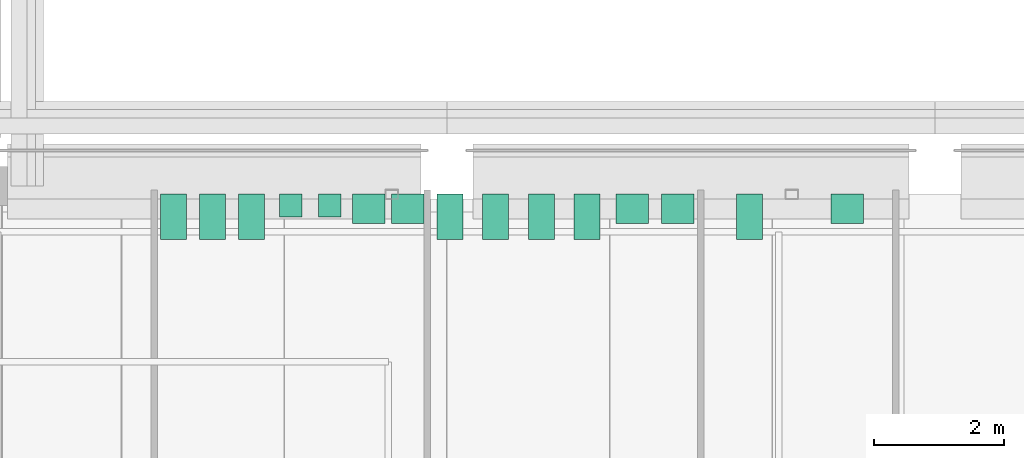
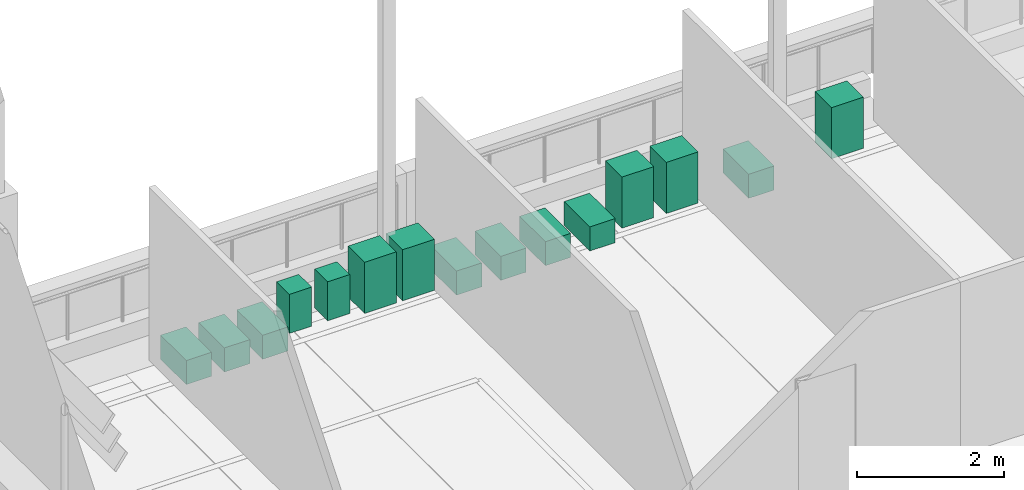
# One storey, part 61 of 62: 15 sanitary terminals.
"""IFC4 building model written with IfcOpenShell, lengths in metres."""

from ifc_helpers import new_model, si_unit, direction, frame, origin, origin_2d, place, context, subcontext, project, spatial, rectangle, extrude, material, type_object, element, save


model = new_model("IFC4")

# Units and contexts
model_context = context("Model", 3, precision=1e-05, world=origin(), true_north=direction((0.0, 1.0)))
body_context = subcontext(model_context, "Body", "Model", "MODEL_VIEW")
ifc_project = project(units=[si_unit("LENGTHUNIT", "METRE"), si_unit("AREAUNIT", "SQUARE_METRE"), si_unit("VOLUMEUNIT", "CUBIC_METRE"), si_unit("PLANEANGLEUNIT", "RADIAN"), si_unit("MASSUNIT", "GRAM", prefix="KILO")], contexts=[model_context])

# Site, building, storey
site_placement = place(None, origin())
site = spatial("IfcSite", under=ifc_project, at=site_placement, CompositionType="ELEMENT")
building_placement = place(site_placement, origin())
building = spatial("IfcBuilding", under=site, at=building_placement, Name="Cour d'Honneur Mobility Palace", CompositionType="ELEMENT")
storey_placement = place(building_placement, frame((0.0, 0.0, 19.300048828125)))
storey = spatial("IfcBuildingStorey", under=building, at=storey_placement, Name="L05", CompositionType="ELEMENT", Elevation=19.300048828125)

# Sanitary terminals
ifc_material_1 = material(Name="Vitreous china")
sanitary_terminal_type_1 = type_object("IfcSanitaryTerminalType", Name="Urinal", PredefinedType="URINAL", material=ifc_material_1)
for number, where, z_axis, x_axis, name in (
    (1, (22.5, 62.10498046875, 0.0), (0.0, 0.0, 1.0), (1.0, 0.0, 0.0), "Urinal WC Men West"),
    (2, (23.10009765625, 62.10498046875, 0.0), (0.0, 0.0, 1.0), (1.0, 0.0, 0.0), "Urinal WC Men West"),
):
    element("IfcSanitaryTerminal", number, at=place(storey_placement, frame(where, z_axis=z_axis, x_axis=x_axis)), inside=storey, type_object=sanitary_terminal_type_1, Name=name, PredefinedType="URINAL", context=body_context, shape_type="SweptSolid", body=[
        extrude(rectangle(XDim=0.35009765625, YDim=0.35009765625, at=origin_2d()), origin(), (0.0, 0.0, 1.0), 0.64990234375),
    ])
ifc_material_2 = material(Name="Vitreous china")
sanitary_terminal_type_2 = type_object("IfcSanitaryTerminalType", Name="Wash basin", PredefinedType="WASHHANDBASIN", material=ifc_material_2)
for number, where, z_axis, x_axis, name in (
    (3, (23.699951171875, 62.054931640625, 0.0), (0.0, 0.0, 1.0), (1.0, 0.0, 0.0), "Wash basin WC Men West"),
    (4, (24.300048828125, 62.054931640625, 0.0), (0.0, 0.0, 1.0), (1.0, 0.0, 0.0), "Wash basin WC Men West"),
    (5, (27.75, 62.054931640625, 0.0), (0.0, 0.0, 1.0), (1.0, 0.0, 0.0), "Wash basin WC Women West"),
    (6, (28.449951171875, 62.054931640625, 0.0), (0.0, 0.0, 1.0), (1.0, 0.0, 0.0), "Wash basin WC Women West"),
    (7, (31.050048828125, 62.054931640625, 0.0), (0.0, 0.0, 1.0), (1.0, 0.0, 0.0), "Wash basin Accessible WC West"),
):
    element("IfcSanitaryTerminal", number, at=place(storey_placement, frame(where, z_axis=z_axis, x_axis=x_axis)), inside=storey, type_object=sanitary_terminal_type_2, Name=name, PredefinedType="WASHHANDBASIN", context=body_context, shape_type="SweptSolid", body=[
        extrude(rectangle(XDim=0.5, YDim=0.449951171875, at=origin_2d()), origin(), (0.0, 0.0, 1.0), 0.85009765625),
    ])
ifc_material_3 = material(Name="Vitreous china")
sanitary_terminal_type_3 = type_object("IfcSanitaryTerminalType", Name="Water closet", PredefinedType="WCSEAT", material=ifc_material_3)
for number, where, z_axis, x_axis, name in (
    (8, (20.699951171875, 61.929931640625, 0.0), (0.0, 0.0, 1.0), (1.0, 0.0, 0.0), "Water closet WC Men West"),
    (9, (21.300048828125, 61.929931640625, 0.0), (0.0, 0.0, 1.0), (1.0, 0.0, 0.0), "Water closet WC Men West"),
    (10, (21.89990234375, 61.929931640625, 0.0), (0.0, 0.0, 1.0), (1.0, 0.0, 0.0), "Water closet WC Men West"),
    (11, (24.949951171875, 61.929931640625, 0.0), (0.0, 0.0, 1.0), (1.0, 0.0, 0.0), "Water closet WC Women West"),
    (12, (25.64990234375, 61.929931640625, 0.0), (0.0, 0.0, 1.0), (1.0, 0.0, 0.0), "Water closet WC Women West"),
    (13, (26.35009765625, 61.929931640625, 0.0), (0.0, 0.0, 1.0), (1.0, 0.0, 0.0), "Water closet WC Women West"),
    (14, (27.050048828125, 61.929931640625, 0.0), (0.0, 0.0, 1.0), (1.0, 0.0, 0.0), "Water closet WC Women West"),
    (15, (29.550048828125, 61.929931640625, 0.0), (0.0, 0.0, 1.0), (1.0, 0.0, 0.0), "Water closet Accessible WC West"),
):
    element("IfcSanitaryTerminal", number, at=place(storey_placement, frame(where, z_axis=z_axis, x_axis=x_axis)), inside=storey, type_object=sanitary_terminal_type_3, Name=name, PredefinedType="WCSEAT", context=body_context, shape_type="SweptSolid", body=[
        extrude(rectangle(XDim=0.39990234375, YDim=0.699951171875, at=origin_2d()), origin(), (0.0, 0.0, 1.0), 0.39990234375),
    ])

save(model, "model.ifc")
